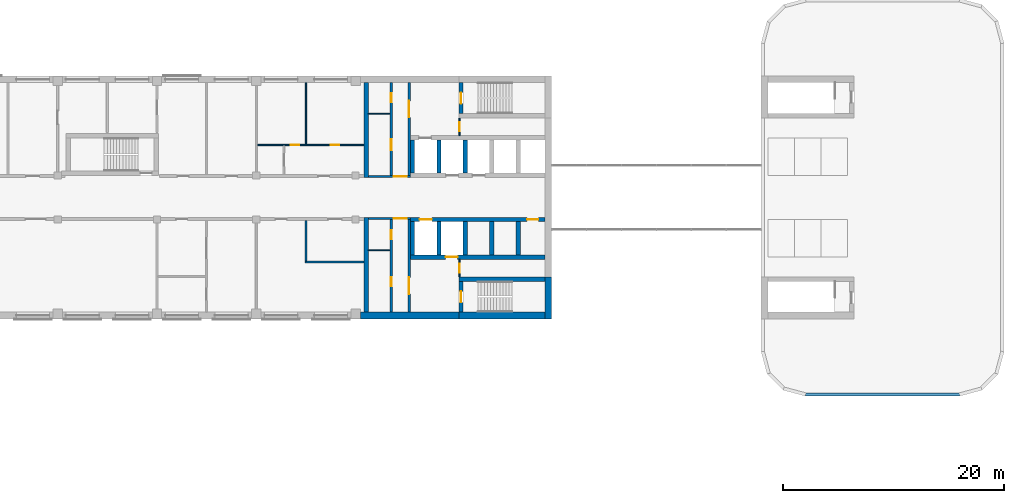
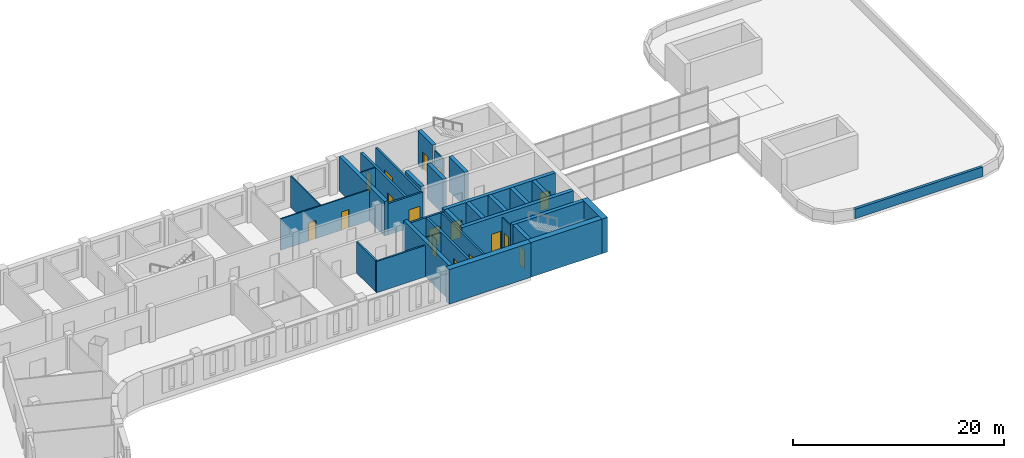
# One storey, part 8 of 11: 33 walls, 17 doors, 17 openings.
"""IFC4 building model written with IfcOpenShell, lengths in metres."""

from ifc_helpers import new_model, si_unit, direction, frame, frame_2d, origin, place, context, subcontext, project, spatial, rectangle, extrude, material, layer, layer_set, type_object, element, fill, save


model = new_model("IFC4")

# Units and contexts
model_context = context("Model", 3, precision=1e-05, world=origin(), true_north=direction((0.0, 1.0)))
body_context = subcontext(model_context, "Body", "Model", "MODEL_VIEW")
ifc_project = project(units=[si_unit("LENGTHUNIT", "METRE"), si_unit("AREAUNIT", "SQUARE_METRE"), si_unit("VOLUMEUNIT", "CUBIC_METRE"), si_unit("PLANEANGLEUNIT", "RADIAN"), si_unit("MASSUNIT", "GRAM", prefix="KILO")], contexts=[model_context])

# Site, building, storey
site_placement = place(None, origin())
site = spatial("IfcSite", under=ifc_project, at=site_placement, CompositionType="ELEMENT")
building_placement = place(site_placement, origin())
building = spatial("IfcBuilding", under=site, at=building_placement, Name="Skarvind Civic Tower", CompositionType="ELEMENT")
storey_placement = place(building_placement, frame((0.0, 0.0, 113.0)))
storey = spatial("IfcBuildingStorey", under=building, at=storey_placement, Name="L26", CompositionType="ELEMENT", Elevation=113.0)

# Walls
ifc_material_1 = material(Name="Acoustic gypsum board on steel studs", Category="steel")
ifc_layer_1 = layer(ifc_material_1, 0.175048828125)
ifc_layer_set_1 = layer_set([ifc_layer_1], Name="ACOUSTIC MEETING-ROOM PARTITION 175")
wall_type_1 = type_object("IfcWallType", Name="ACOUSTIC MEETING-ROOM PARTITION 175", PredefinedType="PARTITIONING", material=ifc_layer_set_1)
wall_1_placement = place(storey_placement, frame((85.75, 122.238037109375, 0.0), z_axis=(0.0, 0.0, 1.0), x_axis=(0.0, 1.0, 0.0)))
element("IfcWall", 1, at=wall_1_placement, inside=storey, type_object=wall_type_1, Name="Partition 26.031", PredefinedType="PARTITIONING", context=body_context, shape_type="SweptSolid", body=[
    extrude(rectangle(XDim=3.661865234375, YDim=0.175048828125, at=frame_2d((1.8310546875, 0.0))), origin(), (0.0, 0.0, 1.0), 3.625),
])
wall_2_placement = place(storey_placement, frame((91.0, 122.14990234375, 0.0), z_axis=(0.0, 0.0, 1.0), x_axis=(-1.0, 0.0, 0.0)))
element("IfcWall", 2, at=wall_2_placement, inside=storey, type_object=wall_type_1, Name="Partition 26.033", PredefinedType="PARTITIONING", context=body_context, shape_type="SweptSolid", body=[
    extrude(rectangle(XDim=5.337890625, YDim=0.175048828125, at=frame_2d((2.6689453125, 0.0))), origin(), (0.0, 0.0, 1.0), 3.625),
])

# Wall, opening, door
ifc_material_2 = material(Name="Fire-rated masonry partition", Category="masonry")
ifc_layer_2 = layer(ifc_material_2, 0.199951171875)
ifc_layer_set_2 = layer_set([ifc_layer_2], Name="Core enclosure wall 200")
wall_type_2 = type_object("IfcWallType", Name="Core enclosure wall 200", PredefinedType="PARTITIONING", material=ifc_layer_set_2)
wall_3_placement = place(storey_placement, frame((95.199951171875, 126.10009765625, 0.0), z_axis=(0.0, 0.0, 1.0), x_axis=(-1.0, 0.0, 0.0)))
wall_3 = element("IfcWall", 3, at=wall_3_placement, inside=storey, type_object=wall_type_2, Name="Core wall C1", PredefinedType="PARTITIONING", context=body_context, shape_type="SweptSolid", body=[
    extrude(rectangle(XDim=3.800048828125, YDim=0.199951171875, at=frame_2d((1.89990234375, 0.0))), origin(), (0.0, 0.0, 1.0), 3.625),
])
opening_1_placement = place(wall_3_placement, frame((0.300048828125, 0.0, 0.0)))
opening_1 = element("IfcOpeningElement", 4, at=opening_1_placement, cuts=wall_3, Name="Opening D-L26-C1-05", PredefinedType="OPENING", context=body_context, shape_type="SweptSolid", body=[
    extrude(rectangle(XDim=1.199951171875, YDim=2.10009765625, at=frame_2d((0.60009765625, 1.050048828125))), frame((0.0, 0.10986328125, 0.0), z_axis=(0.0, -1.0, 0.0), x_axis=(1.0, 0.0, 0.0)), (0.0, 0.0, 1.0), 0.219970703125),
])
ifc_material_3 = material(Name="Fire-rated steel door", Category="steel")
door_type_1 = type_object("IfcDoorType", Name="Core lobby door 1200", OperationType="NOTDEFINED", PredefinedType="DOOR", material=ifc_material_3)
door_1_placement = place(opening_1_placement, origin())
door_1 = element("IfcDoor", 5, at=door_1_placement, inside=storey, type_object=door_type_1, Name="Fire door", OperationType="DOUBLE_DOOR_SINGLE_SWING", OverallHeight=2.10009765625, OverallWidth=1.199951171875, PredefinedType="DOOR", context=body_context, shape_type="SweptSolid", body=[
    extrude(rectangle(XDim=1.199951171875, YDim=2.10009765625, at=frame_2d((0.60009765625, 1.050048828125))), frame((0.0, 0.02490234375, 0.0), z_axis=(0.0, -1.0, 0.0), x_axis=(1.0, 0.0, 0.0)), (0.0, 0.0, 1.0), 0.050048828125),
])
fill(opening_1, door_1)

wall_4_placement = place(storey_placement, frame((95.10009765625, 117.60009765625, 0.0), z_axis=(0.0, 0.0, 1.0), x_axis=(0.0, 1.0, 0.0)))
wall_4 = element("IfcWall", 6, at=wall_4_placement, inside=storey, type_object=wall_type_2, Name="Core wall C1", PredefinedType="PARTITIONING", context=body_context, shape_type="SweptSolid", body=[
    extrude(rectangle(XDim=8.39990234375, YDim=0.199951171875, at=frame_2d((4.199951171875, 0.0))), origin(), (0.0, 0.0, 1.0), 3.625),
])
opening_2_placement = place(wall_4_placement, frame((1.64990234375, 0.0, 0.0)))
opening_2 = element("IfcOpeningElement", 7, at=opening_2_placement, cuts=wall_4, Name="Opening D-L26-C1-06", PredefinedType="OPENING", context=body_context, shape_type="SweptSolid", body=[
    extrude(rectangle(XDim=1.5, YDim=2.10009765625, at=frame_2d((0.75, 1.050048828125))), frame((0.0, 0.10986328125, 0.0), z_axis=(0.0, -1.0, 0.0), x_axis=(1.0, 0.0, 0.0)), (0.0, 0.0, 1.0), 0.219970703125),
])
door_type_2 = type_object("IfcDoorType", Name="Fire door 1500", OperationType="NOTDEFINED", PredefinedType="DOOR", material=ifc_material_3)
door_2_placement = place(opening_2_placement, origin())
door_2 = element("IfcDoor", 8, at=door_2_placement, inside=storey, type_object=door_type_2, Name="Fire door", OperationType="DOUBLE_DOOR_SINGLE_SWING", OverallHeight=2.10009765625, OverallWidth=1.5, PredefinedType="DOOR", context=body_context, shape_type="SweptSolid", body=[
    extrude(rectangle(XDim=1.5, YDim=2.10009765625, at=frame_2d((0.75, 1.050048828125))), frame((0.0, 0.02490234375, 0.0), z_axis=(0.0, -1.0, 0.0), x_axis=(1.0, 0.0, 0.0)), (0.0, 0.0, 1.0), 0.050048828125),
])
fill(opening_2, door_2)

wall_5_placement = place(storey_placement, frame((91.39990234375, 129.89990234375, 0.0), z_axis=(0.0, 0.0, 1.0), x_axis=(1.0, 0.0, 0.0)))
wall_5 = element("IfcWall", 9, at=wall_5_placement, inside=storey, type_object=wall_type_2, Name="Core wall C1", PredefinedType="PARTITIONING", context=body_context, shape_type="SweptSolid", body=[
    extrude(rectangle(XDim=3.800048828125, YDim=0.199951171875, at=frame_2d((1.89990234375, 0.0))), origin(), (0.0, 0.0, 1.0), 3.625),
])
opening_3_placement = place(wall_5_placement, frame((2.300048828125, 0.0, 0.0)))
opening_3 = element("IfcOpeningElement", 10, at=opening_3_placement, cuts=wall_5, Name="Opening D-L26-C1-11", PredefinedType="OPENING", context=body_context, shape_type="SweptSolid", body=[
    extrude(rectangle(XDim=1.199951171875, YDim=2.10009765625, at=frame_2d((0.60009765625, 1.050048828125))), frame((0.0, 0.10986328125, 0.0), z_axis=(0.0, -1.0, 0.0), x_axis=(1.0, 0.0, 0.0)), (0.0, 0.0, 1.0), 0.219970703125),
])
door_3_placement = place(opening_3_placement, origin())
door_3 = element("IfcDoor", 11, at=door_3_placement, inside=storey, type_object=door_type_1, Name="Fire door", OperationType="DOUBLE_DOOR_SINGLE_SWING", OverallHeight=2.10009765625, OverallWidth=1.199951171875, PredefinedType="DOOR", context=body_context, shape_type="SweptSolid", body=[
    extrude(rectangle(XDim=1.199951171875, YDim=2.10009765625, at=frame_2d((0.60009765625, 1.050048828125))), frame((0.0, 0.02490234375, 0.0), z_axis=(0.0, -1.0, 0.0), x_axis=(1.0, 0.0, 0.0)), (0.0, 0.0, 1.0), 0.050048828125),
])
fill(opening_3, door_3)

wall_6_placement = place(storey_placement, frame((95.10009765625, 130.0, 0.0), z_axis=(0.0, 0.0, 1.0), x_axis=(0.0, 1.0, 0.0)))
wall_6 = element("IfcWall", 12, at=wall_6_placement, inside=storey, type_object=wall_type_2, Name="Core wall C1", PredefinedType="PARTITIONING", context=body_context, shape_type="SweptSolid", body=[
    extrude(rectangle(XDim=8.39990234375, YDim=0.199951171875, at=frame_2d((4.199951171875, 0.0))), origin(), (0.0, 0.0, 1.0), 3.625),
])
opening_4_placement = place(wall_6_placement, frame((5.25, 0.0, 0.0)))
opening_4 = element("IfcOpeningElement", 13, at=opening_4_placement, cuts=wall_6, Name="Opening D-L26-C1-12", PredefinedType="OPENING", context=body_context, shape_type="SweptSolid", body=[
    extrude(rectangle(XDim=1.5, YDim=2.10009765625, at=frame_2d((0.75, 1.050048828125))), frame((0.0, 0.10986328125, 0.0), z_axis=(0.0, -1.0, 0.0), x_axis=(1.0, 0.0, 0.0)), (0.0, 0.0, 1.0), 0.219970703125),
])
door_4_placement = place(opening_4_placement, origin())
door_4 = element("IfcDoor", 14, at=door_4_placement, inside=storey, type_object=door_type_2, Name="Fire door", OperationType="DOUBLE_DOOR_SINGLE_SWING", OverallHeight=2.10009765625, OverallWidth=1.5, PredefinedType="DOOR", context=body_context, shape_type="SweptSolid", body=[
    extrude(rectangle(XDim=1.5, YDim=2.10009765625, at=frame_2d((0.75, 1.050048828125))), frame((0.0, 0.02490234375, 0.0), z_axis=(0.0, -1.0, 0.0), x_axis=(1.0, 0.0, 0.0)), (0.0, 0.0, 1.0), 0.050048828125),
])
fill(opening_4, door_4)

# Walls
ifc_material_4 = material(Name="Fire-rated plasterboard partition")
ifc_layer_3 = layer(ifc_material_4, 0.10009765625)
ifc_layer_set_3 = layer_set([ifc_layer_3], Name="Core partition wall 100")
wall_type_3 = type_object("IfcWallType", Name="Core partition wall 100", PredefinedType="PARTITIONING", material=ifc_layer_set_3)
for number, where, z_axis, x_axis, name in (
    (15, (93.35009765625, 123.199951171875, 0.0), (0.0, 0.0, 1.0), (-1.0, 0.0, 0.0), "Core wall C1"),
    (16, (91.39990234375, 135.60009765625, 0.0), (0.0, 0.0, 1.0), (1.0, 0.0, 0.0), "Core wall C1"),
):
    element("IfcWall", number, at=place(storey_placement, frame(where, z_axis=z_axis, x_axis=x_axis)), inside=storey, type_object=wall_type_3, Name=name, PredefinedType="PARTITIONING", context=body_context, shape_type="SweptSolid", body=[
        extrude(rectangle(XDim=1.9501953125, YDim=0.10009765625, at=frame_2d((0.97509765625, 0.0))), origin(), (0.0, 0.0, 1.0), 3.625),
    ])

# Wall, opening, door
ifc_material_5 = material(Name="Concrete C80", Category="concrete")
ifc_layer_4 = layer(ifc_material_5, 0.39990234375)
ifc_layer_set_4 = layer_set([ifc_layer_4], Name="Core wall 400 C80")
wall_type_4 = type_object("IfcWallType", Name="Core wall 400 C80", PredefinedType="SHEAR", material=ifc_layer_set_4)
wall_7_placement = place(storey_placement, frame((99.800048828125, 138.39990234375, 0.0), z_axis=(0.0, 0.0, 1.0), x_axis=(0.0, -1.0, 0.0)))
wall_7 = element("IfcWall", 17, at=wall_7_placement, inside=storey, type_object=wall_type_4, Name="Core wall C1 south stair end L26", PredefinedType="SHEAR", context=body_context, shape_type="SweptSolid", body=[
    extrude(rectangle(XDim=2.7998046875, YDim=0.39990234375, at=frame_2d((1.39990234375, 0.0))), origin(), (0.0, 0.0, 1.0), 4.0),
])
opening_5_placement = place(wall_7_placement, frame((0.89990234375, 0.0, 0.0)))
opening_5 = element("IfcOpeningElement", 18, at=opening_5_placement, cuts=wall_7, Name="Opening D-L26-C1-13", PredefinedType="OPENING", context=body_context, shape_type="SweptSolid", body=[
    extrude(rectangle(XDim=1.0, YDim=2.10009765625, at=frame_2d((0.5, 1.050048828125))), frame((0.0, 0.2099609375, 0.0), z_axis=(0.0, -1.0, 0.0), x_axis=(1.0, 0.0, 0.0)), (0.0, 0.0, 1.0), 0.419921875),
])
door_type_3 = type_object("IfcDoorType", Name="Fire door 1000", OperationType="NOTDEFINED", PredefinedType="DOOR", material=ifc_material_3)
door_5_placement = place(opening_5_placement, origin())
door_5 = element("IfcDoor", 19, at=door_5_placement, inside=storey, type_object=door_type_3, Name="Fire door", OperationType="SINGLE_SWING_RIGHT", OverallHeight=2.10009765625, OverallWidth=1.0, PredefinedType="DOOR", context=body_context, shape_type="SweptSolid", body=[
    extrude(rectangle(XDim=1.0, YDim=2.10009765625, at=frame_2d((0.5, 1.050048828125))), frame((0.0, 0.02490234375, 0.0), z_axis=(0.0, -1.0, 0.0), x_axis=(1.0, 0.0, 0.0)), (0.0, 0.0, 1.0), 0.050048828125),
])
fill(opening_5, door_5)

# Wall
wall_8_placement = place(storey_placement, frame((107.39990234375, 120.60009765625, 0.0), z_axis=(0.0, 0.0, 1.0), x_axis=(-1.0, 0.0, 0.0)))
element("IfcWall", 20, at=wall_8_placement, inside=storey, type_object=wall_type_4, Name="Core wall C1 north stair inner L26", PredefinedType="SHEAR", context=body_context, shape_type="SweptSolid", body=[
    extrude(rectangle(XDim=7.7998046875, YDim=0.39990234375, at=frame_2d((3.89990234375, 0.0))), origin(), (0.0, 0.0, 1.0), 4.0),
])

# Wall, opening, door
wall_9_placement = place(storey_placement, frame((99.800048828125, 120.39990234375, 0.0), z_axis=(0.0, 0.0, 1.0), x_axis=(0.0, -1.0, 0.0)))
wall_9 = element("IfcWall", 21, at=wall_9_placement, inside=storey, type_object=wall_type_4, Name="Core wall C1 north stair end L26", PredefinedType="SHEAR", context=body_context, shape_type="SweptSolid", body=[
    extrude(rectangle(XDim=2.7998046875, YDim=0.39990234375, at=frame_2d((1.39990234375, 0.0))), origin(), (0.0, 0.0, 1.0), 4.0),
])
opening_6_placement = place(wall_9_placement, frame((0.89990234375, 0.0, 0.0)))
opening_6 = element("IfcOpeningElement", 22, at=opening_6_placement, cuts=wall_9, Name="Opening D-L26-C1-07", PredefinedType="OPENING", context=body_context, shape_type="SweptSolid", body=[
    extrude(rectangle(XDim=1.0, YDim=2.10009765625, at=frame_2d((0.5, 1.050048828125))), frame((0.0, 0.2099609375, 0.0), z_axis=(0.0, -1.0, 0.0), x_axis=(1.0, 0.0, 0.0)), (0.0, 0.0, 1.0), 0.419921875),
])
door_6_placement = place(opening_6_placement, origin())
door_6 = element("IfcDoor", 23, at=door_6_placement, inside=storey, type_object=door_type_3, Name="Fire door", OperationType="SINGLE_SWING_LEFT", OverallHeight=2.10009765625, OverallWidth=1.0, PredefinedType="DOOR", context=body_context, shape_type="SweptSolid", body=[
    extrude(rectangle(XDim=1.0, YDim=2.10009765625, at=frame_2d((0.5, 1.050048828125))), frame((0.0, 0.02490234375, 0.0), z_axis=(0.0, -1.0, 0.0), x_axis=(1.0, 0.0, 0.0)), (0.0, 0.0, 1.0), 0.050048828125),
])
fill(opening_6, door_6)

# Walls
for number, where, z_axis, x_axis, name in (
    (24, (100.199951171875, 133.199951171875, 0.0), (0.0, 0.0, 1.0), (0.0, -1.0, 0.0), "Core wall C1 south lift row division 3 L26"),
    (25, (97.800048828125, 133.199951171875, 0.0), (0.0, 0.0, 1.0), (0.0, -1.0, 0.0), "Core wall C1 south lift row division 4 L26"),
    (26, (95.39990234375, 133.199951171875, 0.0), (0.0, 0.0, 1.0), (0.0, -1.0, 0.0), "Core wall C1 south lift row division 5 L26"),
):
    element("IfcWall", number, at=place(storey_placement, frame(where, z_axis=z_axis, x_axis=x_axis)), inside=storey, type_object=wall_type_4, Name=name, PredefinedType="SHEAR", context=body_context, shape_type="SweptSolid", body=[
        extrude(rectangle(XDim=3.0, YDim=0.39990234375, at=frame_2d((1.5, 0.0))), origin(), (0.0, 0.0, 1.0), 4.0),
    ])

# Wall, openings, doors
wall_10_placement = place(storey_placement, frame((107.39990234375, 126.0, 0.0), z_axis=(0.0, 0.0, 1.0), x_axis=(-1.0, 0.0, 0.0)))
wall_10 = element("IfcWall", 27, at=wall_10_placement, inside=storey, type_object=wall_type_4, Name="Core wall C1 north lift row front L26", PredefinedType="SHEAR", context=body_context, shape_type="SweptSolid", body=[
    extrude(rectangle(XDim=12.199951171875, YDim=0.39990234375, at=frame_2d((6.10009765625, 0.0))), origin(), (0.0, 0.0, 1.0), 4.0),
])
opening_7_placement = place(wall_10_placement, frame((10.25, 0.0, 0.0)))
opening_7 = element("IfcOpeningElement", 28, at=opening_7_placement, cuts=wall_10, Name="Opening LD28105", PredefinedType="OPENING", context=body_context, shape_type="SweptSolid", body=[
    extrude(rectangle(XDim=1.10009765625, YDim=2.10009765625, at=frame_2d((0.550048828125, 1.050048828125))), frame((0.0, 0.2099609375, 0.0), z_axis=(0.0, -1.0, 0.0), x_axis=(1.0, 0.0, 0.0)), (0.0, 0.0, 1.0), 0.419921875),
])
opening_8_placement = place(wall_10_placement, frame((0.60009765625, 0.0, 0.0)))
opening_8 = element("IfcOpeningElement", 29, at=opening_8_placement, cuts=wall_10, Name="Opening D-L26-C1-04", PredefinedType="OPENING", context=body_context, shape_type="SweptSolid", body=[
    extrude(rectangle(XDim=1.0, YDim=2.10009765625, at=frame_2d((0.5, 1.050048828125))), frame((0.0, 0.2099609375, 0.0), z_axis=(0.0, -1.0, 0.0), x_axis=(1.0, 0.0, 0.0)), (0.0, 0.0, 1.0), 0.419921875),
])
door_7_placement = place(opening_8_placement, origin())
door_7 = element("IfcDoor", 30, at=door_7_placement, inside=storey, type_object=door_type_3, Name="Fire door", OperationType="SINGLE_SWING_LEFT", OverallHeight=2.10009765625, OverallWidth=1.0, PredefinedType="DOOR", context=body_context, shape_type="SweptSolid", body=[
    extrude(rectangle(XDim=1.0, YDim=2.10009765625, at=frame_2d((0.5, 1.050048828125))), frame((0.0, 0.02490234375, 0.0), z_axis=(0.0, -1.0, 0.0), x_axis=(1.0, 0.0, 0.0)), (0.0, 0.0, 1.0), 0.050048828125),
])
fill(opening_8, door_7)
ifc_material_6 = material(Name="Stainless steel landing door", Category="steel")
door_type_4 = type_object("IfcDoorType", Name="Lift landing door 1100", OperationType="DOUBLE_DOOR_SLIDING", PredefinedType="DOOR", material=ifc_material_6)
door_8_placement = place(opening_7_placement, origin())
door_8 = element("IfcDoor", 31, at=door_8_placement, inside=storey, type_object=door_type_4, Name="Lift landing door", OperationType="DOUBLE_DOOR_SLIDING", OverallHeight=2.10009765625, OverallWidth=1.10009765625, PredefinedType="DOOR", context=body_context, shape_type="SweptSolid", body=[
    extrude(rectangle(XDim=1.10009765625, YDim=2.10009765625, at=frame_2d((0.550048828125, 1.050048828125))), frame((0.0, 0.02490234375, 0.0), z_axis=(0.0, -1.0, 0.0), x_axis=(1.0, 0.0, 0.0)), (0.0, 0.0, 1.0), 0.050048828125),
])
fill(opening_7, door_8)

# Wall, opening, door
wall_11_placement = place(storey_placement, frame((107.39990234375, 122.60009765625, 0.0), z_axis=(0.0, 0.0, 1.0), x_axis=(-1.0, 0.0, 0.0)))
wall_11 = element("IfcWall", 32, at=wall_11_placement, inside=storey, type_object=wall_type_4, Name="Core wall C1 north lift row back L26", PredefinedType="SHEAR", context=body_context, shape_type="SweptSolid", body=[
    extrude(rectangle(XDim=12.199951171875, YDim=0.39990234375, at=frame_2d((6.10009765625, 0.0))), origin(), (0.0, 0.0, 1.0), 4.0),
])
opening_9_placement = place(wall_11_placement, frame((7.89990234375, 0.0, 0.0)))
opening_9 = element("IfcOpeningElement", 33, at=opening_9_placement, cuts=wall_11, Name="Opening LD28104", PredefinedType="OPENING", context=body_context, shape_type="SweptSolid", body=[
    extrude(rectangle(XDim=1.10009765625, YDim=2.10009765625, at=frame_2d((0.550048828125, 1.050048828125))), frame((0.0, 0.2099609375, 0.0), z_axis=(0.0, -1.0, 0.0), x_axis=(1.0, 0.0, 0.0)), (0.0, 0.0, 1.0), 0.419921875),
])
door_9_placement = place(opening_9_placement, origin())
door_9 = element("IfcDoor", 34, at=door_9_placement, inside=storey, type_object=door_type_4, Name="Lift landing door", OperationType="DOUBLE_DOOR_SLIDING", OverallHeight=2.10009765625, OverallWidth=1.10009765625, PredefinedType="DOOR", context=body_context, shape_type="SweptSolid", body=[
    extrude(rectangle(XDim=1.10009765625, YDim=2.10009765625, at=frame_2d((0.550048828125, 1.050048828125))), frame((0.0, 0.02490234375, 0.0), z_axis=(0.0, -1.0, 0.0), x_axis=(1.0, 0.0, 0.0)), (0.0, 0.0, 1.0), 0.050048828125),
])
fill(opening_9, door_9)

# Walls
for number, where, z_axis, x_axis, name in (
    (35, (105.0, 125.800048828125, 0.0), (0.0, 0.0, 1.0), (0.0, -1.0, 0.0), "Core wall C1 north lift row division 1 L26"),
    (36, (102.60009765625, 125.800048828125, 0.0), (0.0, 0.0, 1.0), (0.0, -1.0, 0.0), "Core wall C1 north lift row division 2 L26"),
    (37, (100.199951171875, 125.800048828125, 0.0), (0.0, 0.0, 1.0), (0.0, -1.0, 0.0), "Core wall C1 north lift row division 3 L26"),
    (38, (97.800048828125, 125.800048828125, 0.0), (0.0, 0.0, 1.0), (0.0, -1.0, 0.0), "Core wall C1 north lift row division 4 L26"),
    (39, (95.39990234375, 125.800048828125, 0.0), (0.0, 0.0, 1.0), (0.0, -1.0, 0.0), "Core wall C1 north lift row division 5 L26"),
):
    element("IfcWall", number, at=place(storey_placement, frame(where, z_axis=z_axis, x_axis=x_axis)), inside=storey, type_object=wall_type_4, Name=name, PredefinedType="SHEAR", context=body_context, shape_type="SweptSolid", body=[
        extrude(rectangle(XDim=3.0, YDim=0.39990234375, at=frame_2d((1.5, 0.0))), origin(), (0.0, 0.0, 1.0), 4.0),
    ])
for number, where, z_axis, x_axis, name in (
    (40, (91.199951171875, 138.39990234375, 0.0), (0.0, 0.0, 1.0), (0.0, -1.0, 0.0), "Core wall C1 south inner face L26"),
    (41, (91.199951171875, 126.199951171875, 0.0), (0.0, 0.0, 1.0), (0.0, -1.0, 0.0), "Core wall C1 north inner face L26"),
):
    element("IfcWall", number, at=place(storey_placement, frame(where, z_axis=z_axis, x_axis=x_axis)), inside=storey, type_object=wall_type_4, Name=name, PredefinedType="SHEAR", context=body_context, shape_type="SweptSolid", body=[
        extrude(rectangle(XDim=8.599853515625, YDim=0.39990234375, at=frame_2d((4.2998046875, 0.0))), origin(), (0.0, 0.0, 1.0), 4.0),
    ])
ifc_layer_5 = layer(ifc_material_5, 0.60009765625)
ifc_layer_set_5 = layer_set([ifc_layer_5], Name="Core wall 600 C80")
wall_type_5 = type_object("IfcWallType", Name="Core wall 600 C80", PredefinedType="SHEAR", material=ifc_layer_set_5)
wall_12_placement = place(storey_placement, frame((107.699951171875, 120.800048828125, 0.0), z_axis=(0.0, 0.0, 1.0), x_axis=(0.0, -1.0, 0.0)))
element("IfcWall", 42, at=wall_12_placement, inside=storey, type_object=wall_type_5, Name="Core wall C1 tip at the north stair L26", PredefinedType="SHEAR", context=body_context, shape_type="SweptSolid", body=[
    extrude(rectangle(XDim=3.800048828125, YDim=0.60009765625, at=frame_2d((1.89990234375, 0.0))), origin(), (0.0, 0.0, 1.0), 4.0),
])
wall_13_placement = place(storey_placement, frame((107.39990234375, 117.300048828125, 0.0), z_axis=(0.0, 0.0, 1.0), x_axis=(-1.0, 0.0, 0.0)))
element("IfcWall", 43, at=wall_13_placement, inside=storey, type_object=wall_type_5, Name="Core wall C1 north side at the stair L26", PredefinedType="SHEAR", context=body_context, shape_type="SweptSolid", body=[
    extrude(rectangle(XDim=7.7998046875, YDim=0.60009765625, at=frame_2d((3.89990234375, 0.0))), origin(), (0.0, 0.0, 1.0), 4.0),
])
wall_14_placement = place(storey_placement, frame((99.60009765625, 117.300048828125, 0.0), z_axis=(0.0, 0.0, 1.0), x_axis=(-1.0, 0.0, 0.0)))
element("IfcWall", 44, at=wall_14_placement, inside=storey, type_object=wall_type_5, Name="Core wall C1 north side L26", PredefinedType="SHEAR", context=body_context, shape_type="SweptSolid", body=[
    extrude(rectangle(XDim=8.925048828125, YDim=0.60009765625, at=frame_2d((4.46240234375, 0.0))), origin(), (0.0, 0.0, 1.0), 4.0),
])

# Wall, opening, door
ifc_layer_6 = layer(ifc_material_2, 0.125)
ifc_layer_set_6 = layer_set([ifc_layer_6], Name="Riser wall 125")
wall_type_6 = type_object("IfcWallType", Name="Riser wall 125", PredefinedType="PARTITIONING", material=ifc_layer_set_6)
wall_15_placement = place(storey_placement, frame((99.66259765625, 120.800048828125, 0.0), z_axis=(0.0, 0.0, 1.0), x_axis=(0.0, 1.0, 0.0)))
wall_15 = element("IfcWall", 45, at=wall_15_placement, inside=storey, type_object=wall_type_6, Name="Core wall C1", PredefinedType="PARTITIONING", context=body_context, shape_type="SweptSolid", body=[
    extrude(rectangle(XDim=1.599853515625, YDim=0.125, at=frame_2d((0.7998046875, 0.0))), origin(), (0.0, 0.0, 1.0), 3.625),
])
opening_10_placement = place(wall_15_placement, frame((0.39990234375, 0.0, 0.0)))
opening_10 = element("IfcOpeningElement", 46, at=opening_10_placement, cuts=wall_15, Name="Opening D-L26-C1-08", PredefinedType="OPENING", context=body_context, shape_type="SweptSolid", body=[
    extrude(rectangle(XDim=0.800048828125, YDim=2.10009765625, at=frame_2d((0.39990234375, 1.050048828125))), frame((0.0, 0.072509765625, 0.0), z_axis=(0.0, -1.0, 0.0), x_axis=(1.0, 0.0, 0.0)), (0.0, 0.0, 1.0), 0.14501953125),
])
door_type_5 = type_object("IfcDoorType", Name="Core riser door 800", OperationType="NOTDEFINED", PredefinedType="DOOR", material=ifc_material_3)
door_10_placement = place(opening_10_placement, origin())
door_10 = element("IfcDoor", 47, at=door_10_placement, inside=storey, type_object=door_type_5, Name="Riser door", OperationType="SINGLE_SWING_RIGHT", OverallHeight=2.10009765625, OverallWidth=0.800048828125, PredefinedType="DOOR", context=body_context, shape_type="SweptSolid", body=[
    extrude(rectangle(XDim=0.800048828125, YDim=2.10009765625, at=frame_2d((0.39990234375, 1.050048828125))), frame((0.0, 0.02490234375, 0.0), z_axis=(0.0, -1.0, 0.0), x_axis=(1.0, 0.0, 0.0)), (0.0, 0.0, 1.0), 0.050048828125),
])
fill(opening_10, door_10)

wall_16_placement = place(storey_placement, frame((99.66259765625, 133.60009765625, 0.0), z_axis=(0.0, 0.0, 1.0), x_axis=(0.0, 1.0, 0.0)))
wall_16 = element("IfcWall", 48, at=wall_16_placement, inside=storey, type_object=wall_type_6, Name="Core wall C1", PredefinedType="PARTITIONING", context=body_context, shape_type="SweptSolid", body=[
    extrude(rectangle(XDim=1.599853515625, YDim=0.125, at=frame_2d((0.7998046875, 0.0))), origin(), (0.0, 0.0, 1.0), 3.625),
])
opening_11_placement = place(wall_16_placement, frame((0.39990234375, 0.0, 0.0)))
opening_11 = element("IfcOpeningElement", 49, at=opening_11_placement, cuts=wall_16, Name="Opening D-L26-C1-14", PredefinedType="OPENING", context=body_context, shape_type="SweptSolid", body=[
    extrude(rectangle(XDim=0.800048828125, YDim=2.10009765625, at=frame_2d((0.39990234375, 1.050048828125))), frame((0.0, 0.072509765625, 0.0), z_axis=(0.0, -1.0, 0.0), x_axis=(1.0, 0.0, 0.0)), (0.0, 0.0, 1.0), 0.14501953125),
])
door_11_placement = place(opening_11_placement, origin())
door_11 = element("IfcDoor", 50, at=door_11_placement, inside=storey, type_object=door_type_5, Name="Riser door", OperationType="SINGLE_SWING_LEFT", OverallHeight=2.10009765625, OverallWidth=0.800048828125, PredefinedType="DOOR", context=body_context, shape_type="SweptSolid", body=[
    extrude(rectangle(XDim=0.800048828125, YDim=2.10009765625, at=frame_2d((0.39990234375, 1.050048828125))), frame((0.0, 0.02490234375, 0.0), z_axis=(0.0, -1.0, 0.0), x_axis=(1.0, 0.0, 0.0)), (0.0, 0.0, 1.0), 0.050048828125),
])
fill(opening_11, door_11)

# Wall, openings, doors
ifc_layer_7 = layer(ifc_material_2, 0.25)
ifc_layer_set_7 = layer_set([ifc_layer_7], Name="Service block wall 250")
wall_type_7 = type_object("IfcWallType", Name="Service block wall 250", PredefinedType="PARTITIONING", material=ifc_layer_set_7)
wall_17_placement = place(storey_placement, frame((93.47509765625, 117.60009765625, 0.0), z_axis=(0.0, 0.0, 1.0), x_axis=(0.0, 1.0, 0.0)))
wall_17 = element("IfcWall", 51, at=wall_17_placement, inside=storey, type_object=wall_type_7, Name="Core wall C1", PredefinedType="PARTITIONING", context=body_context, shape_type="SweptSolid", body=[
    extrude(rectangle(XDim=8.39990234375, YDim=0.25, at=frame_2d((4.199951171875, 0.0))), origin(), (0.0, 0.0, 1.0), 3.625),
])
opening_12_placement = place(wall_17_placement, frame((6.625, 0.0, 0.0)))
opening_12 = element("IfcOpeningElement", 52, at=opening_12_placement, cuts=wall_17, Name="Opening D-L26-C1-09", PredefinedType="OPENING", context=body_context, shape_type="SweptSolid", body=[
    extrude(rectangle(XDim=0.800048828125, YDim=2.10009765625, at=frame_2d((0.39990234375, 1.050048828125))), frame((0.0, 0.135009765625, 0.0), z_axis=(0.0, -1.0, 0.0), x_axis=(1.0, 0.0, 0.0)), (0.0, 0.0, 1.0), 0.27001953125),
])
opening_13_placement = place(wall_17_placement, frame((2.375, 0.0, 0.0)))
opening_13 = element("IfcOpeningElement", 53, at=opening_13_placement, cuts=wall_17, Name="Opening D-L26-C1-10", PredefinedType="OPENING", context=body_context, shape_type="SweptSolid", body=[
    extrude(rectangle(XDim=0.800048828125, YDim=2.10009765625, at=frame_2d((0.39990234375, 1.050048828125))), frame((0.0, 0.135009765625, 0.0), z_axis=(0.0, -1.0, 0.0), x_axis=(1.0, 0.0, 0.0)), (0.0, 0.0, 1.0), 0.27001953125),
])
door_12_placement = place(opening_12_placement, origin())
door_12 = element("IfcDoor", 54, at=door_12_placement, inside=storey, type_object=door_type_5, Name="Riser door", OperationType="SINGLE_SWING_LEFT", OverallHeight=2.10009765625, OverallWidth=0.800048828125, PredefinedType="DOOR", context=body_context, shape_type="SweptSolid", body=[
    extrude(rectangle(XDim=0.800048828125, YDim=2.10009765625, at=frame_2d((0.39990234375, 1.050048828125))), frame((0.0, 0.02490234375, 0.0), z_axis=(0.0, -1.0, 0.0), x_axis=(1.0, 0.0, 0.0)), (0.0, 0.0, 1.0), 0.050048828125),
])
fill(opening_12, door_12)
door_13_placement = place(opening_13_placement, origin())
door_13 = element("IfcDoor", 55, at=door_13_placement, inside=storey, type_object=door_type_5, Name="Riser door", OperationType="SINGLE_SWING_RIGHT", OverallHeight=2.10009765625, OverallWidth=0.800048828125, PredefinedType="DOOR", context=body_context, shape_type="SweptSolid", body=[
    extrude(rectangle(XDim=0.800048828125, YDim=2.10009765625, at=frame_2d((0.39990234375, 1.050048828125))), frame((0.0, 0.02490234375, 0.0), z_axis=(0.0, -1.0, 0.0), x_axis=(1.0, 0.0, 0.0)), (0.0, 0.0, 1.0), 0.050048828125),
])
fill(opening_13, door_13)

wall_18_placement = place(storey_placement, frame((93.47509765625, 130.0, 0.0), z_axis=(0.0, 0.0, 1.0), x_axis=(0.0, 1.0, 0.0)))
wall_18 = element("IfcWall", 56, at=wall_18_placement, inside=storey, type_object=wall_type_7, Name="Core wall C1", PredefinedType="PARTITIONING", context=body_context, shape_type="SweptSolid", body=[
    extrude(rectangle(XDim=8.39990234375, YDim=0.25, at=frame_2d((4.199951171875, 0.0))), origin(), (0.0, 0.0, 1.0), 3.625),
])
opening_14_placement = place(wall_18_placement, frame((2.27490234375, 0.0, 0.0)))
opening_14 = element("IfcOpeningElement", 57, at=opening_14_placement, cuts=wall_18, Name="Opening D-L26-C1-15", PredefinedType="OPENING", context=body_context, shape_type="SweptSolid", body=[
    extrude(rectangle(XDim=1.0, YDim=2.10009765625, at=frame_2d((0.5, 1.050048828125))), frame((0.0, 0.135009765625, 0.0), z_axis=(0.0, -1.0, 0.0), x_axis=(1.0, 0.0, 0.0)), (0.0, 0.0, 1.0), 0.27001953125),
])
opening_15_placement = place(wall_18_placement, frame((6.625, 0.0, 0.0)))
opening_15 = element("IfcOpeningElement", 58, at=opening_15_placement, cuts=wall_18, Name="Opening D-L26-C1-16", PredefinedType="OPENING", context=body_context, shape_type="SweptSolid", body=[
    extrude(rectangle(XDim=0.800048828125, YDim=2.10009765625, at=frame_2d((0.39990234375, 1.050048828125))), frame((0.0, 0.135009765625, 0.0), z_axis=(0.0, -1.0, 0.0), x_axis=(1.0, 0.0, 0.0)), (0.0, 0.0, 1.0), 0.27001953125),
])
door_14_placement = place(opening_15_placement, origin())
door_14 = element("IfcDoor", 59, at=door_14_placement, inside=storey, type_object=door_type_5, Name="Riser door", OperationType="SINGLE_SWING_LEFT", OverallHeight=2.10009765625, OverallWidth=0.800048828125, PredefinedType="DOOR", context=body_context, shape_type="SweptSolid", body=[
    extrude(rectangle(XDim=0.800048828125, YDim=2.10009765625, at=frame_2d((0.39990234375, 1.050048828125))), frame((0.0, 0.02490234375, 0.0), z_axis=(0.0, -1.0, 0.0), x_axis=(1.0, 0.0, 0.0)), (0.0, 0.0, 1.0), 0.050048828125),
])
fill(opening_15, door_14)
door_15_placement = place(opening_14_placement, origin())
door_15 = element("IfcDoor", 60, at=door_15_placement, inside=storey, type_object=door_type_3, Name="Fire door", OperationType="SINGLE_SWING_RIGHT", OverallHeight=2.10009765625, OverallWidth=1.0, PredefinedType="DOOR", context=body_context, shape_type="SweptSolid", body=[
    extrude(rectangle(XDim=1.0, YDim=2.10009765625, at=frame_2d((0.5, 1.050048828125))), frame((0.0, 0.02490234375, 0.0), z_axis=(0.0, -1.0, 0.0), x_axis=(1.0, 0.0, 0.0)), (0.0, 0.0, 1.0), 0.050048828125),
])
fill(opening_14, door_15)

ifc_material_7 = material(Name="Moisture-resistant gypsum board on steel studs", Category="steel")
ifc_layer_8 = layer(ifc_material_7, 0.125)
ifc_layer_set_8 = layer_set([ifc_layer_8], Name="WC PARTITION 125")
wall_type_8 = type_object("IfcWallType", Name="WC PARTITION 125", PredefinedType="PARTITIONING", material=ifc_layer_set_8)
wall_19_placement = place(storey_placement, frame((81.31201171875, 132.75, 0.0), z_axis=(0.0, 0.0, 1.0), x_axis=(1.0, 0.0, 0.0)))
wall_19 = element("IfcWall", 61, at=wall_19_placement, inside=storey, type_object=wall_type_8, Name="Partition 26.029", PredefinedType="PARTITIONING", context=body_context, shape_type="SweptSolid", body=[
    extrude(rectangle(XDim=9.68798828125, YDim=0.125, at=frame_2d((4.843994140625, 0.0))), origin(), (0.0, 0.0, 1.0), 3.625),
])
opening_16_placement = place(wall_19_placement, frame((6.6630859375, 0.0, 0.0)))
opening_16 = element("IfcOpeningElement", 62, at=opening_16_placement, cuts=wall_19, Name="Opening L26-D003", PredefinedType="OPENING", context=body_context, shape_type="SweptSolid", body=[
    extrude(rectangle(XDim=0.800048828125, YDim=2.10009765625, at=frame_2d((0.39990234375, 1.050048828125))), frame((0.0, 0.072509765625, 0.0), z_axis=(0.0, -1.0, 0.0), x_axis=(1.0, 0.0, 0.0)), (0.0, 0.0, 1.0), 0.14501953125),
])
opening_17_placement = place(wall_19_placement, frame((3.03662109375, 0.0, 0.0)))
opening_17 = element("IfcOpeningElement", 63, at=opening_17_placement, cuts=wall_19, Name="Opening L26-D004", PredefinedType="OPENING", context=body_context, shape_type="SweptSolid", body=[
    extrude(rectangle(XDim=0.800048828125, YDim=2.10009765625, at=frame_2d((0.39990234375, 1.050048828125))), frame((0.0, 0.072509765625, 0.0), z_axis=(0.0, -1.0, 0.0), x_axis=(1.0, 0.0, 0.0)), (0.0, 0.0, 1.0), 0.14501953125),
])
ifc_material_8 = material(Name="Timber door leaf", Category="wood")
door_type_6 = type_object("IfcDoorType", Name="DOOR 800X2100 TIMBER", OperationType="NOTDEFINED", PredefinedType="DOOR", material=ifc_material_8)
door_16_placement = place(opening_16_placement, origin())
door_16 = element("IfcDoor", 64, at=door_16_placement, inside=storey, type_object=door_type_6, Name="Door L26-D003", OperationType="SINGLE_SWING_RIGHT", OverallHeight=2.10009765625, OverallWidth=0.800048828125, PredefinedType="DOOR", context=body_context, shape_type="SweptSolid", body=[
    extrude(rectangle(XDim=0.800048828125, YDim=2.10009765625, at=frame_2d((0.39990234375, 1.050048828125))), frame((0.0, 0.02490234375, 0.0), z_axis=(0.0, -1.0, 0.0), x_axis=(1.0, 0.0, 0.0)), (0.0, 0.0, 1.0), 0.050048828125),
])
fill(opening_16, door_16)
door_17_placement = place(opening_17_placement, origin())
door_17 = element("IfcDoor", 65, at=door_17_placement, inside=storey, type_object=door_type_6, Name="Door L26-D004", OperationType="SINGLE_SWING_LEFT", OverallHeight=2.10009765625, OverallWidth=0.800048828125, PredefinedType="DOOR", context=body_context, shape_type="SweptSolid", body=[
    extrude(rectangle(XDim=0.800048828125, YDim=2.10009765625, at=frame_2d((0.39990234375, 1.050048828125))), frame((0.0, 0.02490234375, 0.0), z_axis=(0.0, -1.0, 0.0), x_axis=(1.0, 0.0, 0.0)), (0.0, 0.0, 1.0), 0.050048828125),
])
fill(opening_17, door_17)

# Walls
wall_20_placement = place(storey_placement, frame((85.75, 138.39990234375, 0.0), z_axis=(0.0, 0.0, 1.0), x_axis=(0.0, -1.0, 0.0)))
element("IfcWall", 66, at=wall_20_placement, inside=storey, type_object=wall_type_8, Name="Partition 26.032", PredefinedType="PARTITIONING", context=body_context, shape_type="SweptSolid", body=[
    extrude(rectangle(XDim=5.587890625, YDim=0.125, at=frame_2d((2.7939453125, 0.0))), origin(), (0.0, 0.0, 1.0), 3.625),
])
ifc_material_9 = material(Name="Limestone masonry cladding on insulated backing", Category="masonry")
ifc_layer_9 = layer(ifc_material_9, 0.300048828125)
ifc_layer_set_9 = layer_set([ifc_layer_9], Name="WX6 STONE PARAPET 300")
wall_type_9 = type_object("IfcWallType", Name="WX6 STONE PARAPET 300", PredefinedType="PARAPET", material=ifc_layer_set_9)
wall_21_placement = place(storey_placement, frame((131.0, 110.14990234375, 0.0), z_axis=(0.0, 0.0, 1.0), x_axis=(1.0, 0.0, 0.0)))
element("IfcWall", 67, at=wall_21_placement, inside=storey, type_object=wall_type_9, Name="STONE PARAPET", PredefinedType="PARAPET", context=body_context, shape_type="SweptSolid", body=[
    extrude(rectangle(XDim=14.0, YDim=0.300048828125, at=frame_2d((7.0, 0.0))), origin(), (0.0, 0.0, 1.0), 1.10009765625),
])

save(model, "model.ifc")
